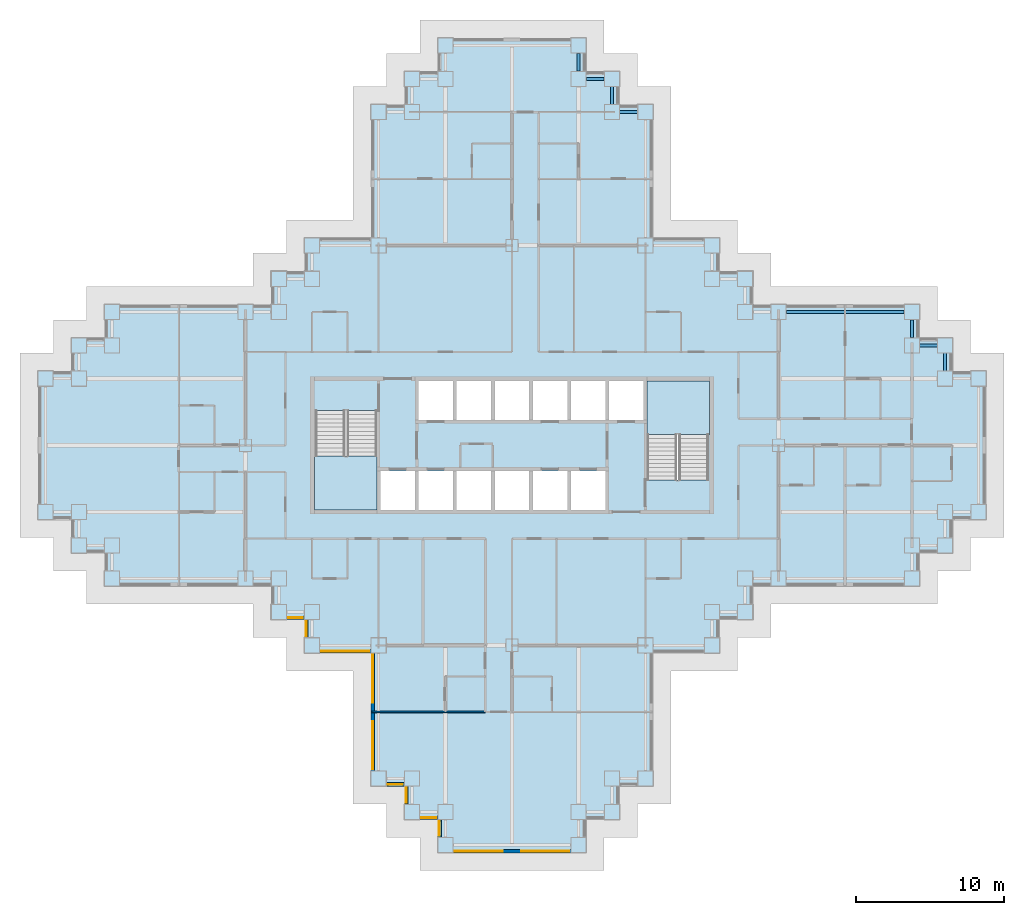
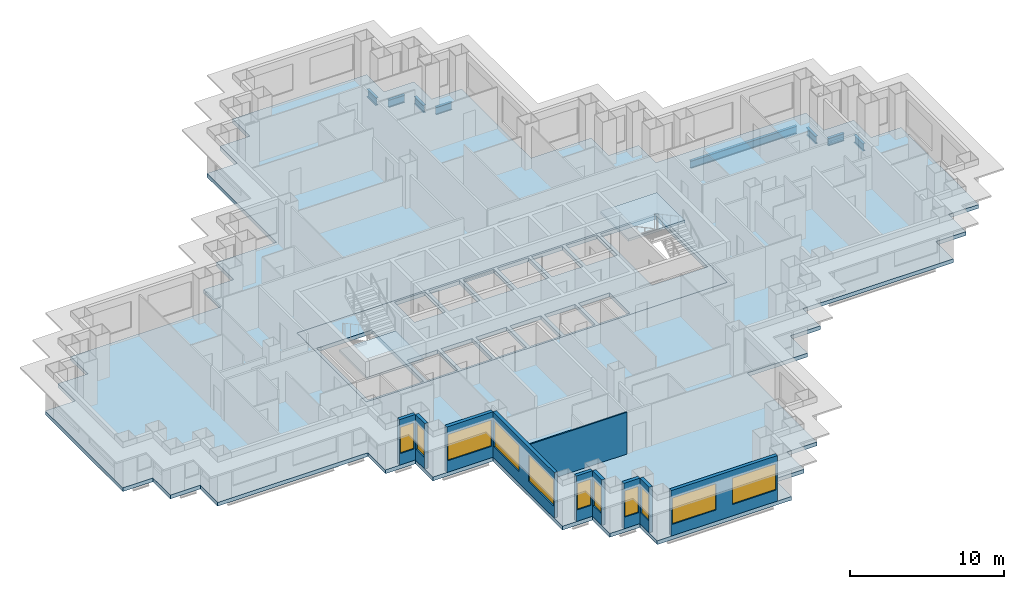
# One storey, part 2 of 14: 11 windows, 10 walls, 8 beams, 4 slabs, 11 openings, 2 elements without a shape of their own.
"""IFC4 building model written with IfcOpenShell, lengths in metres."""

from ifc_helpers import new_model, si_unit, direction, frame, frame_2d, origin, origin_2d, place, context, subcontext, project, spatial, polyline, rectangle, i_section, outline, extrude, material, layer, layer_set, material_profile, profile_set, type_object, element, fill, aggregate, save


model = new_model("IFC4")

# Units and contexts
model_context = context("Model", 3, precision=1e-05, world=origin(), true_north=direction((0.0, 1.0)))
body_context = subcontext(model_context, "Body", "Model", "MODEL_VIEW")
ifc_project = project(units=[si_unit("LENGTHUNIT", "METRE"), si_unit("AREAUNIT", "SQUARE_METRE"), si_unit("VOLUMEUNIT", "CUBIC_METRE"), si_unit("PLANEANGLEUNIT", "RADIAN"), si_unit("MASSUNIT", "GRAM", prefix="KILO")], contexts=[model_context])

# Site, building, storey
site_placement = place(None, origin())
site = spatial("IfcSite", under=ifc_project, at=site_placement, CompositionType="ELEMENT")
building_placement = place(site_placement, origin())
building = spatial("IfcBuilding", under=site, at=building_placement, Name="Caravel Reach Hotel and Residences", CompositionType="ELEMENT")
storey_placement = place(building_placement, frame((0.0, 0.0, 37.199951171875)))
storey = spatial("IfcBuildingStorey", under=building, at=storey_placement, Name="L07", CompositionType="ELEMENT", Elevation=37.199951171875)

# Beams
ifc_material_1 = material(Name="Structural steel Q355B", Category="steel")
ifc_material_profile = material_profile(ifc_material_1, i_section(OverallWidth=0.199951171875, OverallDepth=0.60009765625, WebThickness=0.010986328125, FlangeThickness=0.01708984375, FilletRadius=0.012939453125, at=origin_2d()), Name="HN 600x200x11x17")
ifc_profile_set = profile_set([ifc_material_profile], Name="Structural steel Q355B")
beam_type = type_object("IfcBeamType", Name="Spandrel beam HN 600x200x11x17", PredefinedType="SPANDREL", material=ifc_profile_set)
for number, where, z_axis, x_axis, name in (
    (1, (60.75, 32.02490234375, -0.599853515625), (0.0, 1.0, 0.0), (-1.0, 0.0, 0.0), "SP1 HN 600x200x11x17"),
    (2, (60.22509765625, 33.75, -0.599853515625), (-1.0, 0.0, 0.0), (0.0, -1.0, 0.0), "SP1 HN 600x200x11x17"),
    (3, (58.5, 34.27490234375, -0.599853515625), (0.0, 1.0, 0.0), (-1.0, 0.0, 0.0), "SP1 HN 600x200x11x17"),
):
    element("IfcBeam", number, at=place(storey_placement, frame(where, z_axis=z_axis, x_axis=x_axis)), inside=storey, type_object=beam_type, Name=name, PredefinedType="SPANDREL", context=body_context, shape_type="SweptSolid", body=[
        extrude(i_section(OverallWidth=0.199951171875, OverallDepth=0.60009765625, WebThickness=0.010986328125, FlangeThickness=0.01708984375, FilletRadius=0.012939453125, at=origin_2d()), origin(), (0.0, 0.0, 1.0), 1.2001953125),
    ])
beam_placement = place(storey_placement, frame((57.97509765625, 36.0, -0.599853515625), z_axis=(-1.0, 0.0, 0.0), x_axis=(0.0, -1.0, 0.0)))
element("IfcBeam", 4, at=beam_placement, inside=storey, type_object=beam_type, Name="SP1 HN 600x200x11x17", PredefinedType="SPANDREL", context=body_context, shape_type="SweptSolid", body=[
    extrude(i_section(OverallWidth=0.199951171875, OverallDepth=0.60009765625, WebThickness=0.010986328125, FlangeThickness=0.01708984375, FilletRadius=0.012939453125, at=origin_2d()), origin(), (0.0, 0.0, 1.0), 7.9501953125),
])
for number, where, z_axis, x_axis, name in (
    (5, (39.97509765625, 49.5, -0.599853515625), (-1.0, 0.0, 0.0), (0.0, -1.0, 0.0), "SP1 HN 600x200x11x17"),
    (6, (38.25, 50.02490234375, -0.599853515625), (0.0, 1.0, 0.0), (-1.0, 0.0, 0.0), "SP1 HN 600x200x11x17"),
    (7, (37.72509765625, 51.75, -0.599853515625), (-1.0, 0.0, 0.0), (0.0, -1.0, 0.0), "SP1 HN 600x200x11x17"),
    (8, (36.0, 52.27490234375, -0.599853515625), (0.0, 1.0, 0.0), (-1.0, 0.0, 0.0), "SP1 HN 600x200x11x17"),
):
    element("IfcBeam", number, at=place(storey_placement, frame(where, z_axis=z_axis, x_axis=x_axis)), inside=storey, type_object=beam_type, Name=name, PredefinedType="SPANDREL", context=body_context, shape_type="SweptSolid", body=[
        extrude(i_section(OverallWidth=0.199951171875, OverallDepth=0.60009765625, WebThickness=0.010986328125, FlangeThickness=0.01708984375, FilletRadius=0.012939453125, at=origin_2d()), origin(), (0.0, 0.0, 1.0), 1.2001953125),
    ])

# Slab
ifc_material_2 = material(Name="Concrete C40", Category="concrete")
ifc_layer_1 = layer(ifc_material_2, 0.300048828125)
ifc_layer_set_1 = layer_set([ifc_layer_1], Name="Core floor slab 300 mm")
slab_type_1 = type_object("IfcSlabType", Name="Core floor slab 300 mm", PredefinedType="FLOOR", material=ifc_layer_set_1)
slab_1_placement = place(storey_placement, frame((0.0, 0.0, -0.300048828125)))
element("IfcSlab", 9, at=slab_1_placement, inside=storey, type_object=slab_type_1, Name="L07 core floor", PredefinedType="FLOOR", context=body_context, shape_type="SweptSolid", body=[
    extrude(outline(polyline([(18.0, 31.5), (45.0, 31.5), (45.0, 22.5), (18.0, 22.5), (18.0, 31.5)]), holes=[polyline([(22.625, 25.27490234375), (22.625, 22.64990234375), (24.9462890625, 22.64990234375), (24.9462890625, 25.27490234375), (22.625, 25.27490234375)]), polyline([(27.517822265625, 25.27490234375), (25.1962890625, 25.27490234375), (25.1962890625, 22.64990234375), (27.517822265625, 22.64990234375), (27.517822265625, 25.27490234375)]), polyline([(30.08935546875, 25.27490234375), (27.767822265625, 25.27490234375), (27.767822265625, 22.64990234375), (30.08935546875, 22.64990234375), (30.08935546875, 25.27490234375)]), polyline([(32.66064453125, 25.27490234375), (30.33935546875, 25.27490234375), (30.33935546875, 22.64990234375), (32.66064453125, 22.64990234375), (32.66064453125, 25.27490234375)]), polyline([(18.22509765625, 22.64990234375), (22.375, 22.64990234375), (22.375, 29.35009765625), (18.22509765625, 29.35009765625), (18.22509765625, 22.64990234375)]), polyline([(27.517822265625, 31.35009765625), (25.1962890625, 31.35009765625), (25.1962890625, 28.72509765625), (27.517822265625, 28.72509765625), (27.517822265625, 31.35009765625)]), polyline([(30.08935546875, 31.35009765625), (27.767822265625, 31.35009765625), (27.767822265625, 28.72509765625), (30.08935546875, 28.72509765625), (30.08935546875, 31.35009765625)]), polyline([(32.91064453125, 25.27490234375), (32.91064453125, 22.64990234375), (35.232177734375, 22.64990234375), (35.232177734375, 25.27490234375), (32.91064453125, 25.27490234375)]), polyline([(37.8037109375, 25.27490234375), (35.482177734375, 25.27490234375), (35.482177734375, 22.64990234375), (37.8037109375, 22.64990234375), (37.8037109375, 25.27490234375)]), polyline([(44.77490234375, 31.35009765625), (40.625, 31.35009765625), (40.625, 24.64990234375), (44.77490234375, 24.64990234375), (44.77490234375, 31.35009765625)]), polyline([(32.66064453125, 31.35009765625), (30.33935546875, 31.35009765625), (30.33935546875, 28.72509765625), (32.66064453125, 28.72509765625), (32.66064453125, 31.35009765625)]), polyline([(35.232177734375, 31.35009765625), (32.91064453125, 31.35009765625), (32.91064453125, 28.72509765625), (35.232177734375, 28.72509765625), (35.232177734375, 31.35009765625)]), polyline([(37.8037109375, 31.35009765625), (35.482177734375, 31.35009765625), (35.482177734375, 28.72509765625), (37.8037109375, 28.72509765625), (37.8037109375, 31.35009765625)]), polyline([(40.375, 31.35009765625), (38.0537109375, 31.35009765625), (38.0537109375, 28.72509765625), (40.375, 28.72509765625), (40.375, 31.35009765625)])]), origin(), (0.0, 0.0, 1.0), 0.300048828125),
])

# Stair, slab
ifc_material_3 = material(Name="Concrete C40", Category="concrete")
stair_type = type_object("IfcStairType", Name="Core stair", PredefinedType="HALF_TURN_STAIR", material=ifc_material_3)
stair_1_placement = place(storey_placement, origin())
stair_1 = element("IfcStair", 10, at=stair_1_placement, inside=storey, type_object=stair_type, Name="L07 Exit stair A", PredefinedType="HALF_TURN_STAIR")
ifc_material_4 = material(Name="Concrete C40", Category="concrete")
ifc_layer_2 = layer(ifc_material_4, 0.199951171875)
ifc_layer_set_2 = layer_set([ifc_layer_2], Name="Core stair landing")
slab_type_2 = type_object("IfcSlabType", Name="Core stair landing", PredefinedType="LANDING", material=ifc_layer_set_2)
slab_2_placement = place(storey_placement, frame((0.0, 0.0, 1.60009765625)))
slab_2 = element("IfcSlab", 11, at=slab_2_placement, type_object=slab_type_2, Name="ST-A landing 1", PredefinedType="LANDING", context=body_context, shape_type="SweptSolid", body=[
    extrude(outline(polyline([(18.14990234375, 26.27001953125), (18.14990234375, 22.64990234375), (22.375, 22.64990234375), (22.375, 26.27001953125), (18.14990234375, 26.27001953125)])), origin(), (0.0, 0.0, 1.0), 0.199951171875),
])
aggregate(stair_1, [slab_2])

stair_2_placement = place(storey_placement, origin())
stair_2 = element("IfcStair", 12, at=stair_2_placement, inside=storey, type_object=stair_type, Name="L07 Exit stair B", PredefinedType="HALF_TURN_STAIR")
slab_3_placement = place(storey_placement, frame((0.0, 0.0, 1.60009765625)))
slab_3 = element("IfcSlab", 13, at=slab_3_placement, type_object=slab_type_2, Name="ST-B landing 1", PredefinedType="LANDING", context=body_context, shape_type="SweptSolid", body=[
    extrude(outline(polyline([(44.85009765625, 27.72998046875), (44.85009765625, 31.35009765625), (40.625, 31.35009765625), (40.625, 27.72998046875), (44.85009765625, 27.72998046875)])), origin(), (0.0, 0.0, 1.0), 0.199951171875),
])
aggregate(stair_2, [slab_3])

# Slab
ifc_material_5 = material(Name="Concrete C40 post-tensioned", Category="concrete")
ifc_layer_3 = layer(ifc_material_5, 0.300048828125)
ifc_layer_set_3 = layer_set([ifc_layer_3], Name="Floor slab 300")
slab_type_3 = type_object("IfcSlabType", Name="Floor slab 300", PredefinedType="FLOOR", material=ifc_layer_set_3)
slab_4_placement = place(storey_placement, frame((0.0, 0.0, -0.300048828125)))
element("IfcSlab", 14, at=slab_4_placement, inside=storey, type_object=slab_type_3, Name="S2 slab L07", PredefinedType="FLOOR", context=body_context, shape_type="SweptSolid", body=[
    extrude(outline(polyline([(17.47509765625, 12.97509765625), (17.47509765625, 15.22509765625), (15.22509765625, 15.22509765625), (15.22509765625, 17.47509765625), (3.97509765625, 17.47509765625), (3.97509765625, 19.72509765625), (1.72509765625, 19.72509765625), (1.72509765625, 21.97509765625), (-0.52490234375, 21.97509765625), (-0.52490234375, 32.02490234375), (1.72509765625, 32.02490234375), (1.72509765625, 34.27490234375), (3.97509765625, 34.27490234375), (3.97509765625, 36.52490234375), (15.22509765625, 36.52490234375), (15.22509765625, 38.77490234375), (17.47509765625, 38.77490234375), (17.47509765625, 41.02490234375), (21.97509765625, 41.02490234375), (21.97509765625, 50.02490234375), (24.22509765625, 50.02490234375), (24.22509765625, 52.27490234375), (26.47509765625, 52.27490234375), (26.47509765625, 54.52490234375), (36.52490234375, 54.52490234375), (36.52490234375, 52.27490234375), (38.77490234375, 52.27490234375), (38.77490234375, 50.02490234375), (41.02490234375, 50.02490234375), (41.02490234375, 41.02490234375), (45.52490234375, 41.02490234375), (45.52490234375, 38.77490234375), (47.77490234375, 38.77490234375), (47.77490234375, 36.52490234375), (59.02490234375, 36.52490234375), (59.02490234375, 34.27490234375), (61.27490234375, 34.27490234375), (61.27490234375, 32.02490234375), (63.52490234375, 32.02490234375), (63.52490234375, 21.97509765625), (61.27490234375, 21.97509765625), (61.27490234375, 19.72509765625), (59.02490234375, 19.72509765625), (59.02490234375, 17.47509765625), (47.77490234375, 17.47509765625), (47.77490234375, 15.22509765625), (45.52490234375, 15.22509765625), (45.52490234375, 12.97509765625), (41.02490234375, 12.97509765625), (41.02490234375, 3.97509765625), (38.77490234375, 3.97509765625), (38.77490234375, 1.72509765625), (36.52490234375, 1.72509765625), (36.52490234375, -0.52490234375), (26.47509765625, -0.52490234375), (26.47509765625, 1.72509765625), (24.22509765625, 1.72509765625), (24.22509765625, 3.97509765625), (21.97509765625, 3.97509765625), (21.97509765625, 12.97509765625), (17.47509765625, 12.97509765625)]), holes=[polyline([(45.0, 31.5), (18.0, 31.5), (18.0, 22.5), (45.0, 22.5), (45.0, 31.5)])]), origin(), (0.0, 0.0, 1.0), 0.300048828125),
])

# Wall, opening, window
ifc_material_6 = material(Name="Insulated rainscreen wall, aluminium cladding", Category="aluminium")
ifc_layer_4 = layer(ifc_material_6, 0.25)
ifc_layer_set_4 = layer_set([ifc_layer_4], Name="EW1 Tower rainscreen wall")
wall_type_1 = type_object("IfcWallType", Name="EW1 Tower rainscreen wall", PredefinedType="SOLIDWALL", material=ifc_layer_set_4)
wall_1_placement = place(storey_placement, frame((23.02490234375, 4.10009765625, 0.0), z_axis=(0.0, 0.0, 1.0), x_axis=(1.0, 0.0, 0.0)))
wall_1 = element("IfcWall", 15, at=wall_1_placement, inside=storey, type_object=wall_type_1, Name="External wall L07 S1.1", PredefinedType="SOLIDWALL", context=body_context, shape_type="SweptSolid", body=[
    extrude(rectangle(XDim=1.2001953125, YDim=0.25, at=frame_2d((0.60009765625, 0.0))), origin(), (0.0, 0.0, 1.0), 3.60009765625),
])
opening_1_placement = place(wall_1_placement, frame((0.10009765625, 0.0, 0.89990234375)))
opening_1 = element("IfcOpeningElement", 16, at=opening_1_placement, cuts=wall_1, Name="Opening WN1", PredefinedType="OPENING", context=body_context, shape_type="SweptSolid", body=[
    extrude(rectangle(XDim=1.0, YDim=2.080078125, at=frame_2d((0.5, 1.0400390625))), frame((0.0, 0.135009765625, 0.0), z_axis=(0.0, -1.0, 0.0), x_axis=(1.0, 0.0, 0.0)), (0.0, 0.0, 1.0), 0.27001953125),
])
ifc_material_7 = material(Name="Dark low-e glazing in black aluminium frame", Category="aluminium")
window_type_1 = type_object("IfcWindowType", Name="Hotel suite corner window 1000 x 2080", PartitioningType="SINGLE_PANEL", PredefinedType="WINDOW", material=ifc_material_7)
window_1_placement = place(opening_1_placement, origin())
window_1 = element("IfcWindow", 17, at=window_1_placement, inside=storey, type_object=window_type_1, Name="Window L07 S1.1.1", OverallHeight=2.080078125, OverallWidth=1.0, PartitioningType="SINGLE_PANEL", PredefinedType="WINDOW", context=body_context, shape_type="SweptSolid", body=[
    extrude(rectangle(XDim=1.0, YDim=2.080078125, at=frame_2d((0.5, 1.0400390625))), frame((0.0, 0.030029296875, 0.0), z_axis=(0.0, -1.0, 0.0), x_axis=(1.0, 0.0, 0.0)), (0.0, 0.0, 1.0), 0.06005859375),
])
fill(opening_1, window_1)

wall_2_placement = place(storey_placement, frame((24.35009765625, 3.97509765625, 0.0), z_axis=(0.0, 0.0, 1.0), x_axis=(0.0, -1.0, 0.0)))
wall_2 = element("IfcWall", 18, at=wall_2_placement, inside=storey, type_object=wall_type_1, Name="External wall L07 W2.1", PredefinedType="SOLIDWALL", context=body_context, shape_type="SweptSolid", body=[
    extrude(rectangle(XDim=1.2001953125, YDim=0.25, at=frame_2d((0.60009765625, 0.0))), origin(), (0.0, 0.0, 1.0), 3.60009765625),
])
opening_2_placement = place(wall_2_placement, frame((0.10009765625, 0.0, 0.89990234375)))
opening_2 = element("IfcOpeningElement", 19, at=opening_2_placement, cuts=wall_2, Name="Opening WN1", PredefinedType="OPENING", context=body_context, shape_type="SweptSolid", body=[
    extrude(rectangle(XDim=1.0, YDim=2.080078125, at=frame_2d((0.5, 1.0400390625))), frame((0.0, 0.135009765625, 0.0), z_axis=(0.0, -1.0, 0.0), x_axis=(1.0, 0.0, 0.0)), (0.0, 0.0, 1.0), 0.27001953125),
])
window_2_placement = place(opening_2_placement, origin())
window_2 = element("IfcWindow", 20, at=window_2_placement, inside=storey, type_object=window_type_1, Name="Window L07 W2.1.1", OverallHeight=2.080078125, OverallWidth=1.0, PartitioningType="SINGLE_PANEL", PredefinedType="WINDOW", context=body_context, shape_type="SweptSolid", body=[
    extrude(rectangle(XDim=1.0, YDim=2.080078125, at=frame_2d((0.5, 1.0400390625))), frame((0.0, 0.030029296875, 0.0), z_axis=(0.0, -1.0, 0.0), x_axis=(1.0, 0.0, 0.0)), (0.0, 0.0, 1.0), 0.06005859375),
])
fill(opening_2, window_2)

wall_3_placement = place(storey_placement, frame((25.27490234375, 1.85009765625, 0.0), z_axis=(0.0, 0.0, 1.0), x_axis=(1.0, 0.0, 0.0)))
wall_3 = element("IfcWall", 21, at=wall_3_placement, inside=storey, type_object=wall_type_1, Name="External wall L07 S3.1", PredefinedType="SOLIDWALL", context=body_context, shape_type="SweptSolid", body=[
    extrude(rectangle(XDim=1.2001953125, YDim=0.25, at=frame_2d((0.60009765625, 0.0))), origin(), (0.0, 0.0, 1.0), 3.60009765625),
])
opening_3_placement = place(wall_3_placement, frame((0.10009765625, 0.0, 0.89990234375)))
opening_3 = element("IfcOpeningElement", 22, at=opening_3_placement, cuts=wall_3, Name="Opening WN1", PredefinedType="OPENING", context=body_context, shape_type="SweptSolid", body=[
    extrude(rectangle(XDim=1.0, YDim=2.080078125, at=frame_2d((0.5, 1.0400390625))), frame((0.0, 0.135009765625, 0.0), z_axis=(0.0, -1.0, 0.0), x_axis=(1.0, 0.0, 0.0)), (0.0, 0.0, 1.0), 0.27001953125),
])
window_3_placement = place(opening_3_placement, origin())
window_3 = element("IfcWindow", 23, at=window_3_placement, inside=storey, type_object=window_type_1, Name="Window L07 S3.1.1", OverallHeight=2.080078125, OverallWidth=1.0, PartitioningType="SINGLE_PANEL", PredefinedType="WINDOW", context=body_context, shape_type="SweptSolid", body=[
    extrude(rectangle(XDim=1.0, YDim=2.080078125, at=frame_2d((0.5, 1.0400390625))), frame((0.0, 0.030029296875, 0.0), z_axis=(0.0, -1.0, 0.0), x_axis=(1.0, 0.0, 0.0)), (0.0, 0.0, 1.0), 0.06005859375),
])
fill(opening_3, window_3)

wall_4_placement = place(storey_placement, frame((26.60009765625, 1.72509765625, 0.0), z_axis=(0.0, 0.0, 1.0), x_axis=(0.0, -1.0, 0.0)))
wall_4 = element("IfcWall", 24, at=wall_4_placement, inside=storey, type_object=wall_type_1, Name="External wall L07 W4.1", PredefinedType="SOLIDWALL", context=body_context, shape_type="SweptSolid", body=[
    extrude(rectangle(XDim=1.2001953125, YDim=0.25, at=frame_2d((0.60009765625, 0.0))), origin(), (0.0, 0.0, 1.0), 3.60009765625),
])
opening_4_placement = place(wall_4_placement, frame((0.10009765625, 0.0, 0.89990234375)))
opening_4 = element("IfcOpeningElement", 25, at=opening_4_placement, cuts=wall_4, Name="Opening WN1", PredefinedType="OPENING", context=body_context, shape_type="SweptSolid", body=[
    extrude(rectangle(XDim=1.0, YDim=2.080078125, at=frame_2d((0.5, 1.0400390625))), frame((0.0, 0.135009765625, 0.0), z_axis=(0.0, -1.0, 0.0), x_axis=(1.0, 0.0, 0.0)), (0.0, 0.0, 1.0), 0.27001953125),
])
window_4_placement = place(opening_4_placement, origin())
window_4 = element("IfcWindow", 26, at=window_4_placement, inside=storey, type_object=window_type_1, Name="Window L07 W4.1.1", OverallHeight=2.080078125, OverallWidth=1.0, PartitioningType="SINGLE_PANEL", PredefinedType="WINDOW", context=body_context, shape_type="SweptSolid", body=[
    extrude(rectangle(XDim=1.0, YDim=2.080078125, at=frame_2d((0.5, 1.0400390625))), frame((0.0, 0.030029296875, 0.0), z_axis=(0.0, -1.0, 0.0), x_axis=(1.0, 0.0, 0.0)), (0.0, 0.0, 1.0), 0.06005859375),
])
fill(opening_4, window_4)

# Wall, openings, windows
wall_5_placement = place(storey_placement, frame((27.52490234375, -0.39990234375, 0.0), z_axis=(0.0, 0.0, 1.0), x_axis=(1.0, 0.0, 0.0)))
wall_5 = element("IfcWall", 27, at=wall_5_placement, inside=storey, type_object=wall_type_1, Name="External wall L07 S5.1", PredefinedType="SOLIDWALL", context=body_context, shape_type="SweptSolid", body=[
    extrude(rectangle(XDim=7.9501953125, YDim=0.25, at=frame_2d((3.97509765625, 0.0))), origin(), (0.0, 0.0, 1.0), 3.60009765625),
])
opening_5_placement = place(wall_5_placement, frame((0.10009765625, 0.0, 0.89990234375)))
opening_5 = element("IfcOpeningElement", 28, at=opening_5_placement, cuts=wall_5, Name="Opening WN2", PredefinedType="OPENING", context=body_context, shape_type="SweptSolid", body=[
    extrude(rectangle(XDim=3.25, YDim=2.080078125, at=frame_2d((1.625, 1.0400390625))), frame((0.0, 0.135009765625, 0.0), z_axis=(0.0, -1.0, 0.0), x_axis=(1.0, 0.0, 0.0)), (0.0, 0.0, 1.0), 0.27001953125),
])
opening_6_placement = place(wall_5_placement, frame((4.60009765625, 0.0, 0.89990234375)))
opening_6 = element("IfcOpeningElement", 29, at=opening_6_placement, cuts=wall_5, Name="Opening WN2", PredefinedType="OPENING", context=body_context, shape_type="SweptSolid", body=[
    extrude(rectangle(XDim=3.25, YDim=2.080078125, at=frame_2d((1.625, 1.0400390625))), frame((0.0, 0.135009765625, 0.0), z_axis=(0.0, -1.0, 0.0), x_axis=(1.0, 0.0, 0.0)), (0.0, 0.0, 1.0), 0.27001953125),
])
ifc_material_8 = material(Name="Dark low-e glazing in black aluminium frame", Category="aluminium")
window_type_2 = type_object("IfcWindowType", Name="Hotel guest room window 3250 x 2080", PartitioningType="SINGLE_PANEL", PredefinedType="WINDOW", material=ifc_material_8)
window_5_placement = place(opening_5_placement, origin())
window_5 = element("IfcWindow", 30, at=window_5_placement, inside=storey, type_object=window_type_2, Name="Window L07 S5.1.1", OverallHeight=2.080078125, OverallWidth=3.25, PartitioningType="SINGLE_PANEL", PredefinedType="WINDOW", context=body_context, shape_type="SweptSolid", body=[
    extrude(rectangle(XDim=3.25, YDim=2.080078125, at=frame_2d((1.625, 1.0400390625))), frame((0.0, 0.030029296875, 0.0), z_axis=(0.0, -1.0, 0.0), x_axis=(1.0, 0.0, 0.0)), (0.0, 0.0, 1.0), 0.06005859375),
])
fill(opening_5, window_5)
window_6_placement = place(opening_6_placement, origin())
window_6 = element("IfcWindow", 31, at=window_6_placement, inside=storey, type_object=window_type_2, Name="Window L07 S5.1.2", OverallHeight=2.080078125, OverallWidth=3.25, PartitioningType="SINGLE_PANEL", PredefinedType="WINDOW", context=body_context, shape_type="SweptSolid", body=[
    extrude(rectangle(XDim=3.25, YDim=2.080078125, at=frame_2d((1.625, 1.0400390625))), frame((0.0, 0.030029296875, 0.0), z_axis=(0.0, -1.0, 0.0), x_axis=(1.0, 0.0, 0.0)), (0.0, 0.0, 1.0), 0.06005859375),
])
fill(opening_6, window_6)

# Wall, opening, window
wall_6_placement = place(storey_placement, frame((16.27490234375, 15.35009765625, 0.0), z_axis=(0.0, 0.0, 1.0), x_axis=(1.0, 0.0, 0.0)))
wall_6 = element("IfcWall", 32, at=wall_6_placement, inside=storey, type_object=wall_type_1, Name="External wall L07 S57.1", PredefinedType="SOLIDWALL", context=body_context, shape_type="SweptSolid", body=[
    extrude(rectangle(XDim=1.2001953125, YDim=0.25, at=frame_2d((0.60009765625, 0.0))), origin(), (0.0, 0.0, 1.0), 3.60009765625),
])
opening_7_placement = place(wall_6_placement, frame((0.10009765625, 0.0, 0.89990234375)))
opening_7 = element("IfcOpeningElement", 33, at=opening_7_placement, cuts=wall_6, Name="Opening WN1", PredefinedType="OPENING", context=body_context, shape_type="SweptSolid", body=[
    extrude(rectangle(XDim=1.0, YDim=2.080078125, at=frame_2d((0.5, 1.0400390625))), frame((0.0, 0.135009765625, 0.0), z_axis=(0.0, -1.0, 0.0), x_axis=(1.0, 0.0, 0.0)), (0.0, 0.0, 1.0), 0.27001953125),
])
window_7_placement = place(opening_7_placement, origin())
window_7 = element("IfcWindow", 34, at=window_7_placement, inside=storey, type_object=window_type_1, Name="Window L07 S57.1.1", OverallHeight=2.080078125, OverallWidth=1.0, PartitioningType="SINGLE_PANEL", PredefinedType="WINDOW", context=body_context, shape_type="SweptSolid", body=[
    extrude(rectangle(XDim=1.0, YDim=2.080078125, at=frame_2d((0.5, 1.0400390625))), frame((0.0, 0.030029296875, 0.0), z_axis=(0.0, -1.0, 0.0), x_axis=(1.0, 0.0, 0.0)), (0.0, 0.0, 1.0), 0.06005859375),
])
fill(opening_7, window_7)

wall_7_placement = place(storey_placement, frame((17.60009765625, 15.22509765625, 0.0), z_axis=(0.0, 0.0, 1.0), x_axis=(0.0, -1.0, 0.0)))
wall_7 = element("IfcWall", 35, at=wall_7_placement, inside=storey, type_object=wall_type_1, Name="External wall L07 W58.1", PredefinedType="SOLIDWALL", context=body_context, shape_type="SweptSolid", body=[
    extrude(rectangle(XDim=1.2001953125, YDim=0.25, at=frame_2d((0.60009765625, 0.0))), origin(), (0.0, 0.0, 1.0), 3.60009765625),
])
opening_8_placement = place(wall_7_placement, frame((0.10009765625, 0.0, 0.89990234375)))
opening_8 = element("IfcOpeningElement", 36, at=opening_8_placement, cuts=wall_7, Name="Opening WN1", PredefinedType="OPENING", context=body_context, shape_type="SweptSolid", body=[
    extrude(rectangle(XDim=1.0, YDim=2.080078125, at=frame_2d((0.5, 1.0400390625))), frame((0.0, 0.135009765625, 0.0), z_axis=(0.0, -1.0, 0.0), x_axis=(1.0, 0.0, 0.0)), (0.0, 0.0, 1.0), 0.27001953125),
])
window_8_placement = place(opening_8_placement, origin())
window_8 = element("IfcWindow", 37, at=window_8_placement, inside=storey, type_object=window_type_1, Name="Window L07 W58.1.1", OverallHeight=2.080078125, OverallWidth=1.0, PartitioningType="SINGLE_PANEL", PredefinedType="WINDOW", context=body_context, shape_type="SweptSolid", body=[
    extrude(rectangle(XDim=1.0, YDim=2.080078125, at=frame_2d((0.5, 1.0400390625))), frame((0.0, 0.030029296875, 0.0), z_axis=(0.0, -1.0, 0.0), x_axis=(1.0, 0.0, 0.0)), (0.0, 0.0, 1.0), 0.06005859375),
])
fill(opening_8, window_8)

wall_8_placement = place(storey_placement, frame((18.52490234375, 13.10009765625, 0.0), z_axis=(0.0, 0.0, 1.0), x_axis=(1.0, 0.0, 0.0)))
wall_8 = element("IfcWall", 38, at=wall_8_placement, inside=storey, type_object=wall_type_1, Name="External wall L07 S59.1", PredefinedType="SOLIDWALL", context=body_context, shape_type="SweptSolid", body=[
    extrude(rectangle(XDim=3.4501953125, YDim=0.25, at=frame_2d((1.72509765625, 0.0))), origin(), (0.0, 0.0, 1.0), 3.60009765625),
])
opening_9_placement = place(wall_8_placement, frame((0.10009765625, 0.0, 0.89990234375)))
opening_9 = element("IfcOpeningElement", 39, at=opening_9_placement, cuts=wall_8, Name="Opening WN2", PredefinedType="OPENING", context=body_context, shape_type="SweptSolid", body=[
    extrude(rectangle(XDim=3.25, YDim=2.080078125, at=frame_2d((1.625, 1.0400390625))), frame((0.0, 0.135009765625, 0.0), z_axis=(0.0, -1.0, 0.0), x_axis=(1.0, 0.0, 0.0)), (0.0, 0.0, 1.0), 0.27001953125),
])
window_9_placement = place(opening_9_placement, origin())
window_9 = element("IfcWindow", 40, at=window_9_placement, inside=storey, type_object=window_type_2, Name="Window L07 S59.1.1", OverallHeight=2.080078125, OverallWidth=3.25, PartitioningType="SINGLE_PANEL", PredefinedType="WINDOW", context=body_context, shape_type="SweptSolid", body=[
    extrude(rectangle(XDim=3.25, YDim=2.080078125, at=frame_2d((1.625, 1.0400390625))), frame((0.0, 0.030029296875, 0.0), z_axis=(0.0, -1.0, 0.0), x_axis=(1.0, 0.0, 0.0)), (0.0, 0.0, 1.0), 0.06005859375),
])
fill(opening_9, window_9)

# Wall, openings, windows
wall_9_placement = place(storey_placement, frame((22.10009765625, 12.97509765625, 0.0), z_axis=(0.0, 0.0, 1.0), x_axis=(0.0, -1.0, 0.0)))
wall_9 = element("IfcWall", 41, at=wall_9_placement, inside=storey, type_object=wall_type_1, Name="External wall L07 W60.1", PredefinedType="SOLIDWALL", context=body_context, shape_type="SweptSolid", body=[
    extrude(rectangle(XDim=7.9501953125, YDim=0.25, at=frame_2d((3.97509765625, 0.0))), origin(), (0.0, 0.0, 1.0), 3.60009765625),
])
opening_10_placement = place(wall_9_placement, frame((0.10009765625, 0.0, 0.89990234375)))
opening_10 = element("IfcOpeningElement", 42, at=opening_10_placement, cuts=wall_9, Name="Opening WN2", PredefinedType="OPENING", context=body_context, shape_type="SweptSolid", body=[
    extrude(rectangle(XDim=3.25, YDim=2.080078125, at=frame_2d((1.625, 1.0400390625))), frame((0.0, 0.135009765625, 0.0), z_axis=(0.0, -1.0, 0.0), x_axis=(1.0, 0.0, 0.0)), (0.0, 0.0, 1.0), 0.27001953125),
])
opening_11_placement = place(wall_9_placement, frame((4.60009765625, 0.0, 0.89990234375)))
opening_11 = element("IfcOpeningElement", 43, at=opening_11_placement, cuts=wall_9, Name="Opening WN2", PredefinedType="OPENING", context=body_context, shape_type="SweptSolid", body=[
    extrude(rectangle(XDim=3.25, YDim=2.080078125, at=frame_2d((1.625, 1.0400390625))), frame((0.0, 0.135009765625, 0.0), z_axis=(0.0, -1.0, 0.0), x_axis=(1.0, 0.0, 0.0)), (0.0, 0.0, 1.0), 0.27001953125),
])
window_10_placement = place(opening_10_placement, origin())
window_10 = element("IfcWindow", 44, at=window_10_placement, inside=storey, type_object=window_type_2, Name="Window L07 W60.1.1", OverallHeight=2.080078125, OverallWidth=3.25, PartitioningType="SINGLE_PANEL", PredefinedType="WINDOW", context=body_context, shape_type="SweptSolid", body=[
    extrude(rectangle(XDim=3.25, YDim=2.080078125, at=frame_2d((1.625, 1.0400390625))), frame((0.0, 0.030029296875, 0.0), z_axis=(0.0, -1.0, 0.0), x_axis=(1.0, 0.0, 0.0)), (0.0, 0.0, 1.0), 0.06005859375),
])
fill(opening_10, window_10)
window_11_placement = place(opening_11_placement, origin())
window_11 = element("IfcWindow", 45, at=window_11_placement, inside=storey, type_object=window_type_2, Name="Window L07 W60.1.2", OverallHeight=2.080078125, OverallWidth=3.25, PartitioningType="SINGLE_PANEL", PredefinedType="WINDOW", context=body_context, shape_type="SweptSolid", body=[
    extrude(rectangle(XDim=3.25, YDim=2.080078125, at=frame_2d((1.625, 1.0400390625))), frame((0.0, 0.030029296875, 0.0), z_axis=(0.0, -1.0, 0.0), x_axis=(1.0, 0.0, 0.0)), (0.0, 0.0, 1.0), 0.06005859375),
])
fill(opening_11, window_11)

# Wall
ifc_material_9 = material(Name="Gypsum board on steel stud", Category="steel")
ifc_layer_5 = layer(ifc_material_9, 0.10009765625)
ifc_layer_set_5 = layer_set([ifc_layer_5], Name="Partition 100 mm")
wall_type_2 = type_object("IfcWallType", Name="Partition 100 mm", PredefinedType="PARTITIONING", material=ifc_layer_set_5)
wall_10_placement = place(storey_placement, frame((22.034912109375, 9.0, 0.0), z_axis=(0.0, 0.0, 1.0), x_axis=(1.0, 0.0, 0.0)))
element("IfcWall", 46, at=wall_10_placement, inside=storey, type_object=wall_type_2, Name="L07 wall w053", PredefinedType="PARTITIONING", context=body_context, shape_type="SweptSolid", body=[
    extrude(rectangle(XDim=7.6650390625, YDim=0.10009765625, at=frame_2d((3.83251953125, 0.0))), origin(), (0.0, 0.0, 1.0), 3.300048828125),
])

save(model, "model.ifc")
